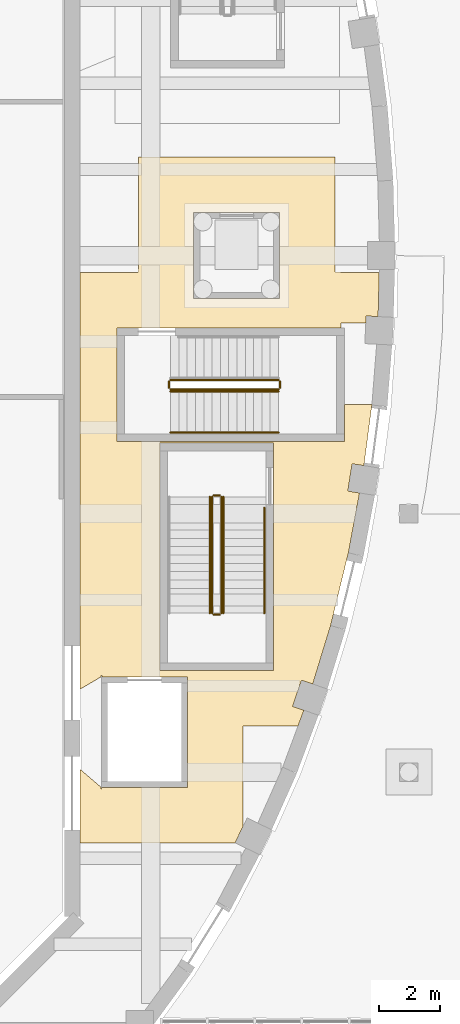
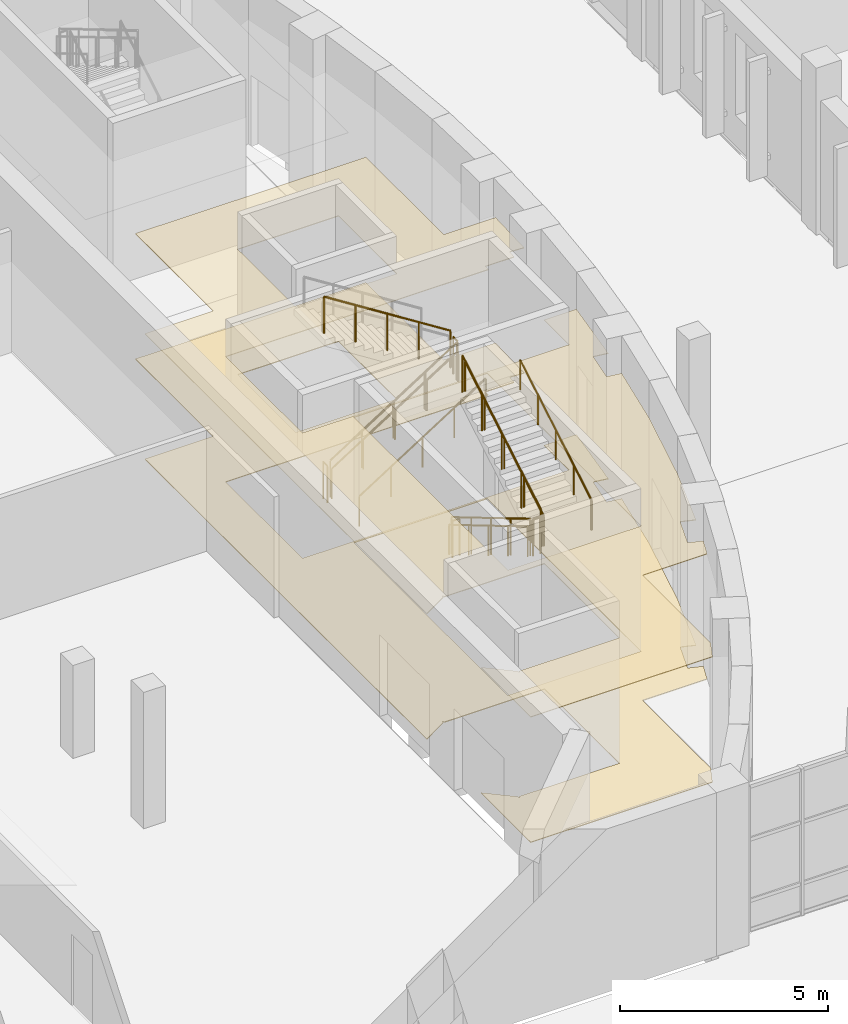
# One storey, part 95 of 110: 13 railings, 2 coverings.
"""IFC4 building model written with IfcOpenShell, lengths in metres."""

from ifc_helpers import new_model, si_unit, direction, frame, origin, origin_2d, place, context, subcontext, project, spatial, polyline, circle, outline, extrude, material, layer, layer_set, type_object, element, save


model = new_model("IFC4")

# Units and contexts
model_context = context("Model", 3, precision=1e-05, world=origin(), true_north=direction((0.0, 1.0)))
body_context = subcontext(model_context, "Body", "Model", "MODEL_VIEW")
ifc_project = project(units=[si_unit("LENGTHUNIT", "METRE"), si_unit("AREAUNIT", "SQUARE_METRE"), si_unit("VOLUMEUNIT", "CUBIC_METRE"), si_unit("PLANEANGLEUNIT", "RADIAN"), si_unit("MASSUNIT", "GRAM", prefix="KILO")], contexts=[model_context])

# Site, building, storey
site_placement = place(None, origin())
site = spatial("IfcSite", under=ifc_project, at=site_placement, CompositionType="ELEMENT")
building_placement = place(site_placement, origin())
building = spatial("IfcBuilding", under=site, at=building_placement, Name="Larchfold Concert Hall", CompositionType="ELEMENT")
storey_placement = place(building_placement, origin())
storey = spatial("IfcBuildingStorey", under=building, at=storey_placement, Name="L00", CompositionType="ELEMENT", Elevation=0.0)

# Coverings
ifc_material_1 = material(Name="Mineral fibre ceiling tile")
ifc_layer_1 = layer(ifc_material_1, 0.02001953125)
ifc_layer_set_1 = layer_set([ifc_layer_1], Name="Mineral fibre ceiling tile")
covering_type_1 = type_object("IfcCoveringType", Name="Ceiling mineral fibre tile 20", PredefinedType="CEILING", material=ifc_layer_set_1)
covering_1_placement = place(storey_placement, frame((0.0, 0.0, 3.68017578125)))
element("IfcCovering", 1, at=covering_1_placement, inside=storey, type_object=covering_type_1, Name="Ceiling Undercroft Escape Corridor 06", PredefinedType="CEILING", context=body_context, shape_type="SweptSolid", body=[
    extrude(outline(polyline([(57.790283203125, 67.257568359375), (57.790283203125, 67.3056640625), (57.10009765625, 67.89990234375), (57.10009765625, 65.5), (62.147705078125, 65.5), (62.400390625, 66.022705078125), (62.401123046875, 69.294189453125), (64.19384765625, 69.300048828125), (64.384521484375, 69.812255859375), (64.0185546875, 69.935791015625), (64.306884765625, 70.78857421875), (64.67333984375, 70.66455078125), (65.253662109375, 72.562255859375), (65.83203125, 74.927490234375), (66.1962890625, 76.87890625), (65.8134765625, 76.939697265625), (65.95458984375, 77.828369140625), (66.33740234375, 77.767578125), (66.597900390625, 79.75), (65.699951171875, 79.75), (65.699951171875, 78.550048828125), (58.300048828125, 78.550048828125), (58.300048828125, 82.25), (65.60009765625, 82.25), (65.60009765625, 82.39990234375), (66.398681640625, 82.39990234375), (66.410888671875, 82.635009765625), (66.798583984375, 82.614990234375), (66.835693359375, 84.050048828125), (65.400390625, 84.0576171875), (65.400146484375, 87.800048828125), (59.0, 87.800048828125), (58.99853515625, 84.054931640625), (57.10009765625, 84.050048828125), (57.10009765625, 70.49365234375), (57.7919921875, 70.899169921875), (57.7919921875, 70.94580078125), (57.81201171875, 70.94580078125), (57.81201171875, 70.89990234375), (60.60009765625, 70.89990234375), (60.60009765625, 67.300048828125), (57.810302734375, 67.300048828125), (57.810302734375, 67.257568359375), (57.790283203125, 67.257568359375)]), holes=[polyline([(60.800048828125, 83.199951171875), (60.800048828125, 86.0), (63.60009765625, 86.0), (63.60009765625, 83.199951171875), (60.800048828125, 83.199951171875)]), polyline([(59.699951171875, 71.10009765625), (59.699951171875, 78.5), (63.39990234375, 78.5), (63.39990234375, 71.10009765625), (59.699951171875, 71.10009765625)])]), origin(), (0.0, 0.0, 1.0), 0.02001953125),
])
ifc_material_2 = material(Name="Linoleum sheet")
ifc_layer_2 = layer(ifc_material_2, 0.02001953125)
ifc_layer_set_2 = layer_set([ifc_layer_2], Name="Linoleum sheet")
covering_type_2 = type_object("IfcCoveringType", Name="Floor finish vinyl 20", PredefinedType="FLOORING", material=ifc_layer_set_2)
covering_2_placement = place(storey_placement, origin())
element("IfcCovering", 2, at=covering_2_placement, inside=storey, type_object=covering_type_2, Name="Floor finish Undercroft Escape Corridor 06", PredefinedType="FLOORING", context=body_context, shape_type="SweptSolid", body=[
    extrude(outline(polyline([(57.790283203125, 67.257568359375), (57.790283203125, 67.3056640625), (57.10009765625, 67.89990234375), (57.10009765625, 65.5), (62.147705078125, 65.5), (62.400390625, 66.022705078125), (62.401123046875, 69.294189453125), (64.19384765625, 69.300048828125), (64.384521484375, 69.812255859375), (64.0185546875, 69.935791015625), (64.306884765625, 70.78857421875), (64.67333984375, 70.66455078125), (65.253662109375, 72.562255859375), (65.83203125, 74.927490234375), (66.1962890625, 76.87890625), (65.8134765625, 76.939697265625), (65.95458984375, 77.828369140625), (66.33740234375, 77.767578125), (66.597900390625, 79.75), (65.699951171875, 79.75), (65.699951171875, 78.550048828125), (58.300048828125, 78.550048828125), (58.300048828125, 82.25), (65.60009765625, 82.25), (65.60009765625, 82.39990234375), (66.398681640625, 82.39990234375), (66.410888671875, 82.635009765625), (66.798583984375, 82.614990234375), (66.835693359375, 84.050048828125), (65.400390625, 84.0576171875), (65.400146484375, 87.800048828125), (59.0, 87.800048828125), (58.99853515625, 84.054931640625), (57.10009765625, 84.050048828125), (57.10009765625, 70.49365234375), (57.7919921875, 70.899169921875), (57.7919921875, 70.94580078125), (57.81201171875, 70.94580078125), (57.81201171875, 70.89990234375), (60.60009765625, 70.89990234375), (60.60009765625, 67.300048828125), (57.810302734375, 67.300048828125), (57.810302734375, 67.257568359375), (57.790283203125, 67.257568359375)]), holes=[polyline([(60.800048828125, 83.199951171875), (60.800048828125, 86.0), (63.60009765625, 86.0), (63.60009765625, 83.199951171875), (60.800048828125, 83.199951171875)]), polyline([(59.699951171875, 71.10009765625), (59.699951171875, 78.5), (63.39990234375, 78.5), (63.39990234375, 71.10009765625), (59.699951171875, 71.10009765625)])]), origin(), (0.0, 0.0, 1.0), 0.02001953125),
])

# Railings
ifc_material_3 = material(Name="Stainless steel balustrade", Category="steel")
railing_type_1 = type_object("IfcRailingType", Name="Stair guard 1100", PredefinedType="GUARDRAIL", material=ifc_material_3)
railing_1_placement = place(storey_placement, frame((61.39990234375, 76.75, 0.159912109375)))
element("IfcRailing", 3, at=railing_1_placement, inside=storey, type_object=railing_type_1, Name="Guard GR0025", PredefinedType="GUARDRAIL", context=body_context, shape_type="SweptSolid", body=[
    extrude(circle(Radius=0.02392578125, at=origin_2d()), frame((0.0, 0.0, 1.076171875), z_axis=(0.0, -0.860294241299, 0.509797821089), x_axis=(1.0, 0.0, 0.0)), (0.0, 0.0, 1.0), 4.393798828125),
    extrude(circle(Radius=0.02099609375, at=origin_2d()), origin(), (0.0, 0.0, 1.0), 1.052001953125),
    extrude(circle(Radius=0.02099609375, at=origin_2d()), frame((0.0, -0.945068359375, 0.56005859375)), (0.0, 0.0, 1.0), 1.052001953125),
    extrude(circle(Radius=0.02099609375, at=origin_2d()), frame((0.0, -1.89013671875, 1.1201171875)), (0.0, 0.0, 1.0), 1.052001953125),
    extrude(circle(Radius=0.02099609375, at=origin_2d()), frame((0.0, -2.8349609375, 1.679931640625)), (0.0, 0.0, 1.0), 1.052001953125),
    extrude(circle(Radius=0.02099609375, at=origin_2d()), frame((0.0, -3.780029296875, 2.239990234375)), (0.0, 0.0, 1.0), 1.052001953125),
])
railing_2_placement = place(storey_placement, frame((61.449951171875, 72.919921875, 2.39990234375)))
element("IfcRailing", 4, at=railing_2_placement, inside=storey, type_object=railing_type_1, Name="Guard GR0026", PredefinedType="GUARDRAIL", context=body_context, shape_type="SweptSolid", body=[
    extrude(circle(Radius=0.02392578125, at=origin_2d()), frame((0.0, 0.0, 1.076171875), z_axis=(1.0, 0.0, 0.0), x_axis=(0.0, 1.0, 0.0)), (0.0, 0.0, 1.0), 0.199951171875),
    extrude(circle(Radius=0.02099609375, at=origin_2d()), origin(), (0.0, 0.0, 1.0), 1.052001953125),
    extrude(circle(Radius=0.02099609375, at=origin_2d()), frame((0.199951171875, 0.0, 0.0)), (0.0, 0.0, 1.0), 1.052001953125),
])
railing_3_placement = place(storey_placement, frame((61.699951171875, 72.969970703125, 2.56005859375)))
element("IfcRailing", 5, at=railing_3_placement, inside=storey, type_object=railing_type_1, Name="Guard GR0027", PredefinedType="GUARDRAIL", context=body_context, shape_type="SweptSolid", body=[
    extrude(circle(Radius=0.02392578125, at=origin_2d()), frame((0.0, 0.0, 1.076171875), z_axis=(0.0, 0.860294241299, 0.509797821089), x_axis=(-1.0, 0.0, 0.0)), (0.0, 0.0, 1.0), 4.393798828125),
    extrude(circle(Radius=0.02099609375, at=origin_2d()), origin(), (0.0, 0.0, 1.0), 1.052001953125),
    extrude(circle(Radius=0.02099609375, at=origin_2d()), frame((0.0, 0.945068359375, 0.56005859375)), (0.0, 0.0, 1.0), 1.052001953125),
    extrude(circle(Radius=0.02099609375, at=origin_2d()), frame((0.0, 1.89013671875, 1.1201171875)), (0.0, 0.0, 1.0), 1.052001953125),
    extrude(circle(Radius=0.02099609375, at=origin_2d()), frame((0.0, 2.8349609375, 1.679931640625)), (0.0, 0.0, 1.0), 1.052001953125),
    extrude(circle(Radius=0.02099609375, at=origin_2d()), frame((0.0, 3.780029296875, 2.239990234375)), (0.0, 0.0, 1.0), 1.052001953125),
])
railing_4_placement = place(storey_placement, frame((61.449951171875, 76.800048828125, 0.0)))
element("IfcRailing", 6, at=railing_4_placement, inside=storey, type_object=railing_type_1, Name="Guard GR0028", PredefinedType="GUARDRAIL", context=body_context, shape_type="SweptSolid", body=[
    extrude(circle(Radius=0.02392578125, at=origin_2d()), frame((0.0, 0.0, 1.076171875), z_axis=(1.0, 0.0, 0.0), x_axis=(0.0, 1.0, 0.0)), (0.0, 0.0, 1.0), 0.199951171875),
    extrude(circle(Radius=0.02099609375, at=origin_2d()), origin(), (0.0, 0.0, 1.0), 1.052001953125),
    extrude(circle(Radius=0.02099609375, at=origin_2d()), frame((0.199951171875, 0.0, 0.0)), (0.0, 0.0, 1.0), 1.052001953125),
])
railing_5_placement = place(storey_placement, frame((60.050048828125, 80.25, 0.17138671875)))
element("IfcRailing", 7, at=railing_5_placement, inside=storey, type_object=railing_type_1, Name="Guard GR0033", PredefinedType="GUARDRAIL", context=body_context, shape_type="SweptSolid", body=[
    extrude(circle(Radius=0.02392578125, at=origin_2d()), frame((0.0, 0.0, 1.076171875), z_axis=(0.844219563411, 0.0, 0.53599750816), x_axis=(0.0, 1.0, 0.0)), (0.0, 0.0, 1.0), 4.15771484375),
    extrude(circle(Radius=0.02099609375, at=origin_2d()), origin(), (0.0, 0.0, 1.0), 1.052001953125),
    extrude(circle(Radius=0.02099609375, at=origin_2d()), frame((0.87744140625, 0.0, 0.55712890625)), (0.0, 0.0, 1.0), 1.052001953125),
    extrude(circle(Radius=0.02099609375, at=origin_2d()), frame((1.7548828125, 0.0, 1.1142578125)), (0.0, 0.0, 1.0), 1.052001953125),
    extrude(circle(Radius=0.02099609375, at=origin_2d()), frame((2.632568359375, 0.0, 1.67138671875)), (0.0, 0.0, 1.0), 1.052001953125),
    extrude(circle(Radius=0.02099609375, at=origin_2d()), frame((3.510009765625, 0.0, 2.228515625)), (0.0, 0.0, 1.0), 1.052001953125),
])
railing_6_placement = place(storey_placement, frame((63.610107421875, 80.300048828125, 2.39990234375)))
element("IfcRailing", 8, at=railing_6_placement, inside=storey, type_object=railing_type_1, Name="Guard GR0034", PredefinedType="GUARDRAIL", context=body_context, shape_type="SweptSolid", body=[
    extrude(circle(Radius=0.02392578125, at=origin_2d()), frame((0.0, 0.0, 1.076171875), z_axis=(0.0, 1.0, 0.0), x_axis=(-1.0, 0.0, 0.0)), (0.0, 0.0, 1.0), 0.199951171875),
    extrude(circle(Radius=0.02099609375, at=origin_2d()), origin(), (0.0, 0.0, 1.0), 1.052001953125),
    extrude(circle(Radius=0.02099609375, at=origin_2d()), frame((0.0, 0.199951171875, 0.0)), (0.0, 0.0, 1.0), 1.052001953125),
])
railing_7_placement = place(storey_placement, frame((63.56005859375, 80.550048828125, 2.571533203125)))
element("IfcRailing", 9, at=railing_7_placement, inside=storey, type_object=railing_type_1, Name="Guard GR0035", PredefinedType="GUARDRAIL", context=body_context, shape_type="SweptSolid", body=[
    extrude(circle(Radius=0.02392578125, at=origin_2d()), frame((0.0, 0.0, 1.076171875), z_axis=(-0.844219563411, 0.0, 0.53599750816), x_axis=(0.0, -1.0, 0.0)), (0.0, 0.0, 1.0), 4.15771484375),
    extrude(circle(Radius=0.02099609375, at=origin_2d()), origin(), (0.0, 0.0, 1.0), 1.052001953125),
    extrude(circle(Radius=0.02099609375, at=origin_2d()), frame((-0.87744140625, 0.0, 0.55712890625)), (0.0, 0.0, 1.0), 1.052001953125),
    extrude(circle(Radius=0.02099609375, at=origin_2d()), frame((-1.7548828125, 0.0, 1.1142578125)), (0.0, 0.0, 1.0), 1.052001953125),
    extrude(circle(Radius=0.02099609375, at=origin_2d()), frame((-2.632568359375, 0.0, 1.67138671875)), (0.0, 0.0, 1.0), 1.052001953125),
    extrude(circle(Radius=0.02099609375, at=origin_2d()), frame((-3.510009765625, 0.0, 2.228515625)), (0.0, 0.0, 1.0), 1.052001953125),
])
railing_8_placement = place(storey_placement, frame((60.0, 80.300048828125, 0.0)))
element("IfcRailing", 10, at=railing_8_placement, inside=storey, type_object=railing_type_1, Name="Guard GR0036", PredefinedType="GUARDRAIL", context=body_context, shape_type="SweptSolid", body=[
    extrude(circle(Radius=0.02392578125, at=origin_2d()), frame((0.0, 0.0, 1.076171875), z_axis=(0.0, 1.0, 0.0), x_axis=(-1.0, 0.0, 0.0)), (0.0, 0.0, 1.0), 0.199951171875),
    extrude(circle(Radius=0.02099609375, at=origin_2d()), origin(), (0.0, 0.0, 1.0), 1.052001953125),
    extrude(circle(Radius=0.02099609375, at=origin_2d()), frame((0.0, 0.199951171875, 0.0)), (0.0, 0.0, 1.0), 1.052001953125),
])
ifc_material_4 = material(Name="Stainless steel handrail", Category="steel")
railing_type_2 = type_object("IfcRailingType", Name="Stair handrail 900", PredefinedType="HANDRAIL", material=ifc_material_4)
railing_9_placement = place(storey_placement, frame((63.10009765625, 72.969970703125, 2.56005859375)))
element("IfcRailing", 11, at=railing_9_placement, inside=storey, type_object=railing_type_2, Name="Handrail HR0022", PredefinedType="HANDRAIL", context=body_context, shape_type="SweptSolid", body=[
    extrude(circle(Radius=0.02392578125, at=origin_2d()), frame((0.0, 0.0, 0.8759765625), z_axis=(0.0, 0.860300485727, 0.509787283342), x_axis=(-1.0, 0.0, 0.0)), (0.0, 0.0, 1.0), 3.98681640625),
    extrude(circle(Radius=0.02099609375, at=origin_2d()), origin(), (0.0, 0.0, 1.0), 0.851806640625),
    extrude(circle(Radius=0.02099609375, at=origin_2d()), frame((0.0, 0.857421875, 0.508056640625)), (0.0, 0.0, 1.0), 0.851806640625),
    extrude(circle(Radius=0.02099609375, at=origin_2d()), frame((0.0, 1.71484375, 1.01611328125)), (0.0, 0.0, 1.0), 0.851806640625),
    extrude(circle(Radius=0.02099609375, at=origin_2d()), frame((0.0, 2.572509765625, 1.5244140625)), (0.0, 0.0, 1.0), 0.851806640625),
    extrude(circle(Radius=0.02099609375, at=origin_2d()), frame((0.0, 3.429931640625, 2.032470703125)), (0.0, 0.0, 1.0), 0.851806640625),
])
railing_10_placement = place(storey_placement, frame((61.329833984375, 76.75, 0.159912109375)))
element("IfcRailing", 12, at=railing_10_placement, inside=storey, type_object=railing_type_2, Name="Handrail HR0023", PredefinedType="HANDRAIL", context=body_context, shape_type="SweptSolid", body=[
    extrude(circle(Radius=0.02392578125, at=origin_2d()), frame((0.0, 0.0, 0.8759765625), z_axis=(0.0, -0.860294241299, 0.509797821089), x_axis=(1.0, 0.0, 0.0)), (0.0, 0.0, 1.0), 4.393798828125),
    extrude(circle(Radius=0.02099609375, at=origin_2d()), origin(), (0.0, 0.0, 1.0), 0.851806640625),
    extrude(circle(Radius=0.02099609375, at=origin_2d()), frame((0.0, -0.945068359375, 0.56005859375)), (0.0, 0.0, 1.0), 0.851806640625),
    extrude(circle(Radius=0.02099609375, at=origin_2d()), frame((0.0, -1.89013671875, 1.1201171875)), (0.0, 0.0, 1.0), 0.851806640625),
    extrude(circle(Radius=0.02099609375, at=origin_2d()), frame((0.0, -2.8349609375, 1.679931640625)), (0.0, 0.0, 1.0), 0.851806640625),
    extrude(circle(Radius=0.02099609375, at=origin_2d()), frame((0.0, -3.780029296875, 2.239990234375)), (0.0, 0.0, 1.0), 0.851806640625),
])
railing_11_placement = place(storey_placement, frame((61.77001953125, 72.969970703125, 2.56005859375)))
element("IfcRailing", 13, at=railing_11_placement, inside=storey, type_object=railing_type_2, Name="Handrail HR0024", PredefinedType="HANDRAIL", context=body_context, shape_type="SweptSolid", body=[
    extrude(circle(Radius=0.02392578125, at=origin_2d()), frame((0.0, 0.0, 0.8759765625), z_axis=(0.0, 0.860294241299, 0.509797821089), x_axis=(-1.0, 0.0, 0.0)), (0.0, 0.0, 1.0), 4.393798828125),
    extrude(circle(Radius=0.02099609375, at=origin_2d()), origin(), (0.0, 0.0, 1.0), 0.851806640625),
    extrude(circle(Radius=0.02099609375, at=origin_2d()), frame((0.0, 0.945068359375, 0.56005859375)), (0.0, 0.0, 1.0), 0.851806640625),
    extrude(circle(Radius=0.02099609375, at=origin_2d()), frame((0.0, 1.89013671875, 1.1201171875)), (0.0, 0.0, 1.0), 0.851806640625),
    extrude(circle(Radius=0.02099609375, at=origin_2d()), frame((0.0, 2.8349609375, 1.679931640625)), (0.0, 0.0, 1.0), 0.851806640625),
    extrude(circle(Radius=0.02099609375, at=origin_2d()), frame((0.0, 3.780029296875, 2.239990234375)), (0.0, 0.0, 1.0), 0.851806640625),
])
for number, where, name in (
    (14, (60.050048828125, 78.85009765625, 0.17138671875), "Handrail HR0029"),
    (15, (60.050048828125, 80.179931640625, 0.17138671875), "Handrail HR0031"),
):
    element("IfcRailing", number, at=place(storey_placement, frame(where)), inside=storey, type_object=railing_type_2, Name=name, PredefinedType="HANDRAIL", context=body_context, shape_type="SweptSolid", body=[
        extrude(circle(Radius=0.02392578125, at=origin_2d()), frame((0.0, 0.0, 0.8759765625), z_axis=(0.844219563411, 0.0, 0.53599750816), x_axis=(0.0, 1.0, 0.0)), (0.0, 0.0, 1.0), 4.15771484375),
        extrude(circle(Radius=0.02099609375, at=origin_2d()), origin(), (0.0, 0.0, 1.0), 0.851806640625),
        extrude(circle(Radius=0.02099609375, at=origin_2d()), frame((0.87744140625, 0.0, 0.55712890625)), (0.0, 0.0, 1.0), 0.851806640625),
        extrude(circle(Radius=0.02099609375, at=origin_2d()), frame((1.7548828125, 0.0, 1.1142578125)), (0.0, 0.0, 1.0), 0.851806640625),
        extrude(circle(Radius=0.02099609375, at=origin_2d()), frame((2.632568359375, 0.0, 1.67138671875)), (0.0, 0.0, 1.0), 0.851806640625),
        extrude(circle(Radius=0.02099609375, at=origin_2d()), frame((3.510009765625, 0.0, 2.228515625)), (0.0, 0.0, 1.0), 0.851806640625),
    ])

save(model, "model.ifc")
